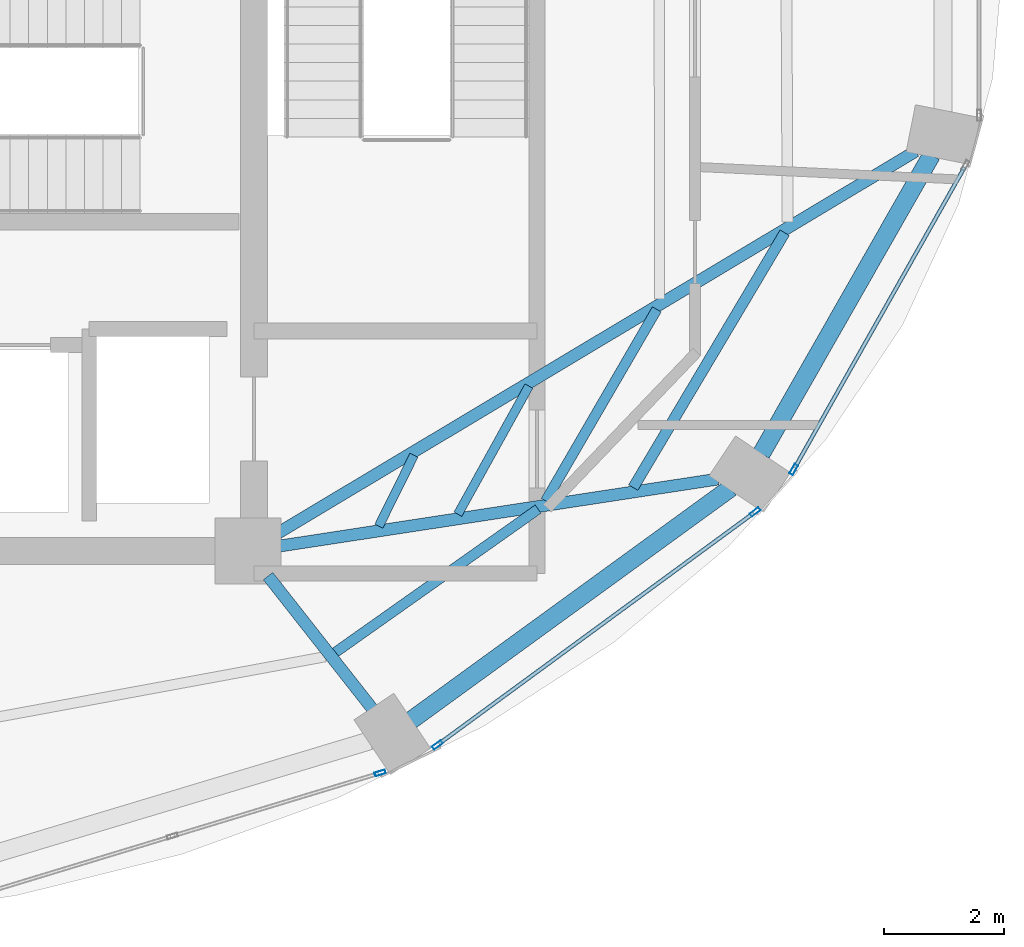
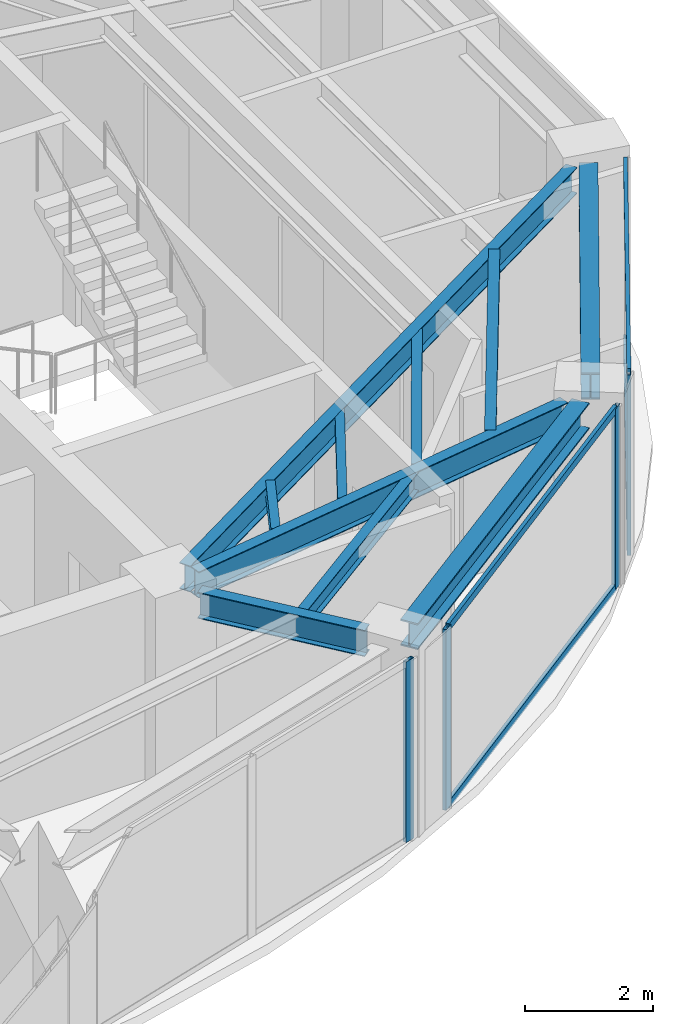
# One storey, part 13 of 23: 10 beams, 8 members, 3 elements without a shape of their own.
"""IFC4 building model written with IfcOpenShell, lengths in metres."""

from ifc_helpers import new_model, si_unit, direction, frame, origin, origin_2d, place, context, subcontext, project, spatial, hollow_rectangle, i_section, extrude, material, layer, layer_set, material_profile, profile_set, type_object, element, aggregate, save


model = new_model("IFC4")

# Units and contexts
model_context = context("Model", 3, precision=1e-05, world=origin(), true_north=direction((0.0, 1.0)))
body_context = subcontext(model_context, "Body", "Model", "MODEL_VIEW")
ifc_project = project(units=[si_unit("LENGTHUNIT", "METRE"), si_unit("AREAUNIT", "SQUARE_METRE"), si_unit("VOLUMEUNIT", "CUBIC_METRE"), si_unit("PLANEANGLEUNIT", "RADIAN"), si_unit("MASSUNIT", "GRAM", prefix="KILO")], contexts=[model_context])

# Site, building, storey
site_placement = place(None, origin())
site = spatial("IfcSite", under=ifc_project, at=site_placement, CompositionType="ELEMENT")
building_placement = place(site_placement, origin())
building = spatial("IfcBuilding", under=site, at=building_placement, Name="Lazwardi Medical Tower", CompositionType="ELEMENT")
storey_placement = place(building_placement, frame((0.0, 0.0, 262.320068359375)))
storey = spatial("IfcBuildingStorey", under=building, at=storey_placement, Name="L68", CompositionType="ELEMENT", Elevation=262.320068359375)

# Beams
ifc_material_1 = material(Name="Steel S355", Category="steel")
ifc_material_profile_1 = material_profile(ifc_material_1, i_section(OverallWidth=0.300048828125, OverallDepth=0.5, WebThickness=0.014404296875, FlangeThickness=0.028076171875, at=origin_2d()), Name="HEB 500")
ifc_profile_set_1 = profile_set([ifc_material_profile_1], Name="Steel S355")
beam_type_1 = type_object("IfcBeamType", Name="BM-RB-Z4", PredefinedType="BEAM", material=ifc_profile_set_1)
beam_1_placement = place(storey_placement, frame((48.31591796875, 17.5751953125, 3.197998046875), z_axis=(0.808889916254, 0.587960120571, 0.0), x_axis=(-0.587960120571, 0.808889916254, 0.0)))
element("IfcBeam", 1, at=beam_1_placement, inside=storey, type_object=beam_type_1, Name="Ring beam RB-05 B02 L68", PredefinedType="BEAM", context=body_context, shape_type="SweptSolid", body=[
    extrude(i_section(OverallWidth=0.300048828125, OverallDepth=0.5, WebThickness=0.014404296875, FlangeThickness=0.028076171875, at=origin_2d()), origin(), (0.0, 0.0, 1.0), 6.587158203125),
])
beam_2_placement = place(storey_placement, frame((54.15283203125, 22.016357421875, 3.197998046875), z_axis=(0.495125273299, 0.868821594886, 0.0), x_axis=(-0.868821594886, 0.495125273299, 0.0)))
element("IfcBeam", 2, at=beam_2_placement, inside=storey, type_object=beam_type_1, Name="Ring beam RB-05 B03 L68", PredefinedType="BEAM", context=body_context, shape_type="SweptSolid", body=[
    extrude(i_section(OverallWidth=0.300048828125, OverallDepth=0.5, WebThickness=0.014404296875, FlangeThickness=0.028076171875, at=origin_2d()), origin(), (0.0, 0.0, 1.0), 5.734130859375),
])
ifc_material_profile_2 = material_profile(ifc_material_1, i_section(OverallWidth=0.199951171875, OverallDepth=0.5, WebThickness=0.01025390625, FlangeThickness=0.01611328125, at=origin_2d()), Name="IPE 500")
ifc_profile_set_2 = profile_set([ifc_material_profile_2], Name="Steel S355")
beam_type_2 = type_object("IfcBeamType", Name="BM-RG-W3", PredefinedType="BEAM", material=ifc_profile_set_2)
beam_3_placement = place(storey_placement, frame((47.669677734375, 17.7666015625, 3.197998046875), z_axis=(-0.617890508382, 0.786264153864, 0.0), x_axis=(-0.786264153864, -0.617890508382, 0.0)))
element("IfcBeam", 3, at=beam_3_placement, inside=storey, type_object=beam_type_2, Name="Radial girder RG-04 R02 L68", PredefinedType="BEAM", context=body_context, shape_type="SweptSolid", body=[
    extrude(i_section(OverallWidth=0.199951171875, OverallDepth=0.5, WebThickness=0.01025390625, FlangeThickness=0.01611328125, at=origin_2d()), origin(), (0.0, 0.0, 1.0), 2.814453125),
])
beam_4_placement = place(storey_placement, frame((53.430908203125, 21.5966796875, 3.197998046875), z_axis=(-0.988522137285, -0.151076087115, 0.0), x_axis=(0.151076087115, -0.988522137285, 0.0)))
element("IfcBeam", 4, at=beam_4_placement, inside=storey, type_object=beam_type_2, Name="Radial girder RG-04 R03 L68", PredefinedType="BEAM", context=body_context, shape_type="SweptSolid", body=[
    extrude(i_section(OverallWidth=0.199951171875, OverallDepth=0.5, WebThickness=0.01025390625, FlangeThickness=0.01611328125, at=origin_2d()), origin(), (0.0, 0.0, 1.0), 7.38671875),
])
beam_5_placement = place(storey_placement, frame((56.72607421875, 27.062255859375, 3.197998046875), z_axis=(-0.857944804603, -0.513741873176, 0.0), x_axis=(0.513741873176, -0.857944804603, 0.0)))
element("IfcBeam", 5, at=beam_5_placement, inside=storey, type_object=beam_type_2, Name="Radial girder RG-04 R04 L68", PredefinedType="BEAM", context=body_context, shape_type="SweptSolid", body=[
    extrude(i_section(OverallWidth=0.199951171875, OverallDepth=0.5, WebThickness=0.01025390625, FlangeThickness=0.01611328125, at=origin_2d()), origin(), (0.0, 0.0, 1.0), 12.43310546875),
])
ifc_material_profile_3 = material_profile(ifc_material_1, i_section(OverallWidth=0.179931640625, OverallDepth=0.39990234375, WebThickness=0.008544921875, FlangeThickness=0.013427734375, at=origin_2d()), Name="IPE 400")
ifc_profile_set_3 = profile_set([ifc_material_profile_3], Name="Steel S355")
beam_type_3 = type_object("IfcBeamType", Name="BM-SJ-01", PredefinedType="JOIST", material=ifc_profile_set_3)
beam_6_placement = place(storey_placement, frame((52.01904296875, 21.455078125, 3.248046875), z_axis=(0.510967866251, 0.859599813668, 0.0), x_axis=(-0.859599813668, 0.510967866251, 0.0)))
element("IfcBeam", 6, at=beam_6_placement, inside=storey, type_object=beam_type_3, Name="Secondary joist SJ-01 R1 B03 L68", PredefinedType="JOIST", context=body_context, shape_type="SweptSolid", body=[
    extrude(i_section(OverallWidth=0.179931640625, OverallDepth=0.39990234375, WebThickness=0.008544921875, FlangeThickness=0.013427734375, at=origin_2d()), origin(), (0.0, 0.0, 1.0), 4.94189453125),
])
ifc_material_profile_4 = material_profile(ifc_material_1, i_section(OverallWidth=0.169921875, OverallDepth=0.360107421875, WebThickness=0.008056640625, FlangeThickness=0.0126953125, at=origin_2d()), Name="IPE 360")
ifc_profile_set_4 = profile_set([ifc_material_profile_4], Name="Steel S355")
beam_type_4 = type_object("IfcBeamType", Name="BM-SJ-02", PredefinedType="JOIST", material=ifc_profile_set_4)
beam_7_placement = place(storey_placement, frame((47.051513671875, 18.70654296875, 3.267822265625), z_axis=(0.816711190406, 0.577046645832, 0.0), x_axis=(-0.577046645832, 0.816711190406, 0.0)))
element("IfcBeam", 7, at=beam_7_placement, inside=storey, type_object=beam_type_4, Name="Secondary joist SJ-02 R2 B02 L68", PredefinedType="JOIST", context=body_context, shape_type="SweptSolid", body=[
    extrude(i_section(OverallWidth=0.169921875, OverallDepth=0.360107421875, WebThickness=0.008056640625, FlangeThickness=0.0126953125, at=origin_2d()), origin(), (0.0, 0.0, 1.0), 4.139892578125),
])
beam_8_placement = place(storey_placement, frame((50.5576171875, 21.232421875, 3.267822265625), z_axis=(0.50218018565, 0.864763008657, 0.0), x_axis=(-0.864763008657, 0.50218018565, 0.0)))
element("IfcBeam", 8, at=beam_8_placement, inside=storey, type_object=beam_type_4, Name="Secondary joist SJ-02 R2 B03 L68", PredefinedType="JOIST", context=body_context, shape_type="SweptSolid", body=[
    extrude(i_section(OverallWidth=0.169921875, OverallDepth=0.360107421875, WebThickness=0.008056640625, FlangeThickness=0.0126953125, at=origin_2d()), origin(), (0.0, 0.0, 1.0), 3.69189453125),
])
ifc_material_profile_5 = material_profile(ifc_material_1, i_section(OverallWidth=0.14990234375, OverallDepth=0.300048828125, WebThickness=0.007080078125, FlangeThickness=0.0107421875, at=origin_2d()), Name="IPE 300")
ifc_profile_set_5 = profile_set([ifc_material_profile_5], Name="Steel S355")
beam_type_5 = type_object("IfcBeamType", Name="BM-SJ-03", PredefinedType="JOIST", material=ifc_profile_set_5)
beam_9_placement = place(storey_placement, frame((49.095703125, 21.01025390625, 3.2978515625), z_axis=(0.484751625998, 0.874651851363, 0.0), x_axis=(-0.874651851363, 0.484751625998, 0.0)))
element("IfcBeam", 9, at=beam_9_placement, inside=storey, type_object=beam_type_5, Name="Secondary joist SJ-03 R3 B03 L68", PredefinedType="JOIST", context=body_context, shape_type="SweptSolid", body=[
    extrude(i_section(OverallWidth=0.14990234375, OverallDepth=0.300048828125, WebThickness=0.007080078125, FlangeThickness=0.0107421875, at=origin_2d()), origin(), (0.0, 0.0, 1.0), 2.442626953125),
])
beam_10_placement = place(storey_placement, frame((47.777587890625, 20.811279296875, 3.2978515625), z_axis=(0.443587297772, 0.89623116954, 0.0), x_axis=(-0.89623116954, 0.443587297772, 0.0)))
element("IfcBeam", 10, at=beam_10_placement, inside=storey, type_object=beam_type_5, Name="Secondary joist SJ-03 R4 B03 L68", PredefinedType="JOIST", context=body_context, shape_type="SweptSolid", body=[
    extrude(i_section(OverallWidth=0.14990234375, OverallDepth=0.300048828125, WebThickness=0.007080078125, FlangeThickness=0.0107421875, at=origin_2d()), origin(), (0.0, 0.0, 1.0), 1.32080078125),
])

# Curtain wall, member
ifc_material_2 = material(Name="Anodised bronze aluminium and solar control glazing", Category="aluminium")
ifc_layer = layer(ifc_material_2, 0.18994140625)
ifc_layer_set = layer_set([ifc_layer], Name="Anodised bronze aluminium and solar control glazing")
curtain_wall_type = type_object("IfcCurtainWallType", Name="CW-SYS-04", PredefinedType="NOTDEFINED", material=ifc_layer_set)
curtain_wall_1_placement = place(storey_placement, origin())
curtain_wall_1 = element("IfcCurtainWall", 11, at=curtain_wall_1_placement, inside=storey, type_object=curtain_wall_type, Name="L68 Unitised bronze curtain wall CW-04", PredefinedType="NOTDEFINED")
ifc_material_3 = material(Name="Anodised bronze aluminium", Category="aluminium")
ifc_material_profile_6 = material_profile(ifc_material_3, hollow_rectangle(XDim=0.06494140625, YDim=0.179931640625, WallThickness=0.00390625, at=origin_2d()), Name="ALU-MULLION 180x65x4")
ifc_profile_set_6 = profile_set([ifc_material_profile_6], Name="Anodised bronze aluminium")
member_type_1 = type_object("IfcMemberType", Name="CW-MUL-03", PredefinedType="MULLION", material=ifc_profile_set_6)
member_1_placement = place(storey_placement, frame((47.7998046875, 16.696533203125, 0.0), z_axis=(0.0, 0.0, 1.0), x_axis=(-0.290581889515, 0.956850126972, 0.0)))
member_1 = element("IfcMember", 12, at=member_1_placement, type_object=member_type_1, Name="CW-04 mullion 3", PredefinedType="MULLION", context=body_context, shape_type="SweptSolid", body=[
    extrude(hollow_rectangle(XDim=0.06494140625, YDim=0.179931640625, WallThickness=0.00390625, at=origin_2d()), origin(), (0.0, 0.0, 1.0), 3.447998046875),
])
aggregate(curtain_wall_1, [member_1])

# Curtain wall, members
curtain_wall_2_placement = place(storey_placement, origin())
curtain_wall_2 = element("IfcCurtainWall", 13, at=curtain_wall_2_placement, inside=storey, type_object=curtain_wall_type, Name="L68 Unitised bronze curtain wall CW-04", PredefinedType="NOTDEFINED")
member_2_placement = place(storey_placement, frame((48.75537109375, 17.1650390625, 0.0), z_axis=(0.0, 0.0, 1.0), x_axis=(-0.591268230971, 0.806474971121, 0.0)))
member_2 = element("IfcMember", 14, at=member_2_placement, type_object=member_type_1, Name="CW-04 mullion 1", PredefinedType="MULLION", context=body_context, shape_type="SweptSolid", body=[
    extrude(hollow_rectangle(XDim=0.06494140625, YDim=0.179931640625, WallThickness=0.00390625, at=origin_2d()), origin(), (0.0, 0.0, 1.0), 3.447998046875),
])
member_3_placement = place(storey_placement, frame((54.052001953125, 21.04833984375, 0.0), z_axis=(0.0, 0.0, 1.0), x_axis=(-0.591268230971, 0.806474971121, 0.0)))
member_3 = element("IfcMember", 15, at=member_3_placement, type_object=member_type_1, Name="CW-04 mullion 2", PredefinedType="MULLION", context=body_context, shape_type="SweptSolid", body=[
    extrude(hollow_rectangle(XDim=0.06494140625, YDim=0.179931640625, WallThickness=0.00390625, at=origin_2d()), origin(), (0.0, 0.0, 1.0), 3.447998046875),
])

# Curtain wall, member
curtain_wall_3_placement = place(storey_placement, origin())
curtain_wall_3 = element("IfcCurtainWall", 16, at=curtain_wall_3_placement, inside=storey, type_object=curtain_wall_type, Name="L68 Unitised bronze curtain wall CW-04", PredefinedType="NOTDEFINED")
member_4_placement = place(storey_placement, frame((54.6943359375, 21.75439453125, 0.0), z_axis=(0.0, 0.0, 1.0), x_axis=(-0.870651436011, 0.491900474661, 0.0)))
member_4 = element("IfcMember", 17, at=member_4_placement, type_object=member_type_1, Name="CW-04 mullion 1", PredefinedType="MULLION", context=body_context, shape_type="SweptSolid", body=[
    extrude(hollow_rectangle(XDim=0.06494140625, YDim=0.179931640625, WallThickness=0.00390625, at=origin_2d()), origin(), (0.0, 0.0, 1.0), 3.447998046875),
])

# Member
ifc_material_profile_7 = material_profile(ifc_material_3, hollow_rectangle(XDim=0.06494140625, YDim=0.139892578125, WallThickness=0.00341796875, at=origin_2d()), Name="ALU-TRANSOM 140x65x3.5")
ifc_profile_set_7 = profile_set([ifc_material_profile_7], Name="Anodised bronze aluminium")
member_type_2 = type_object("IfcMemberType", Name="CW-TRN-03", PredefinedType="USERDEFINED", material=ifc_profile_set_7)
member_5_placement = place(storey_placement, frame((48.781494140625, 17.184326171875, 0.032470703125), z_axis=(0.80648973359, 0.591248094808, 0.0), x_axis=(-0.591248094808, 0.80648973359, 0.0)))
member_5 = element("IfcMember", 18, at=member_5_placement, type_object=member_type_2, Name="CW-04 transom 1.1", ObjectType="TRANSOM", PredefinedType="USERDEFINED", context=body_context, shape_type="SweptSolid", body=[
    extrude(hollow_rectangle(XDim=0.06494140625, YDim=0.139892578125, WallThickness=0.00341796875, at=origin_2d()), origin(), (0.0, 0.0, 1.0), 6.502685546875),
])

member_6_placement = place(storey_placement, frame((48.781494140625, 17.184326171875, 3.41552734375), z_axis=(0.80648973359, 0.591248094808, 0.0), x_axis=(-0.591248094808, 0.80648973359, 0.0)))
member_6 = element("IfcMember", 19, at=member_6_placement, type_object=member_type_2, Name="CW-04 transom 1.2", ObjectType="TRANSOM", PredefinedType="USERDEFINED", context=body_context, shape_type="SweptSolid", body=[
    extrude(hollow_rectangle(XDim=0.06494140625, YDim=0.139892578125, WallThickness=0.00341796875, at=origin_2d()), origin(), (0.0, 0.0, 1.0), 6.502685546875),
])

aggregate(curtain_wall_2, [member_2, member_3, member_5, member_6])

member_7_placement = place(storey_placement, frame((54.71044921875, 21.78271484375, 0.032470703125), z_axis=(0.491879719484, 0.87066316194, 0.0), x_axis=(-0.87066316194, 0.491879719484, 0.0)))
member_7 = element("IfcMember", 20, at=member_7_placement, type_object=member_type_2, Name="CW-04 transom 1.1", ObjectType="TRANSOM", PredefinedType="USERDEFINED", context=body_context, shape_type="SweptSolid", body=[
    extrude(hollow_rectangle(XDim=0.06494140625, YDim=0.139892578125, WallThickness=0.00341796875, at=origin_2d()), origin(), (0.0, 0.0, 1.0), 5.755126953125),
])

member_8_placement = place(storey_placement, frame((54.71044921875, 21.78271484375, 3.41552734375), z_axis=(0.491879719484, 0.87066316194, 0.0), x_axis=(-0.87066316194, 0.491879719484, 0.0)))
member_8 = element("IfcMember", 21, at=member_8_placement, type_object=member_type_2, Name="CW-04 transom 1.2", ObjectType="TRANSOM", PredefinedType="USERDEFINED", context=body_context, shape_type="SweptSolid", body=[
    extrude(hollow_rectangle(XDim=0.06494140625, YDim=0.139892578125, WallThickness=0.00341796875, at=origin_2d()), origin(), (0.0, 0.0, 1.0), 5.755126953125),
])

aggregate(curtain_wall_3, [member_4, member_7, member_8])

save(model, "model.ifc")
